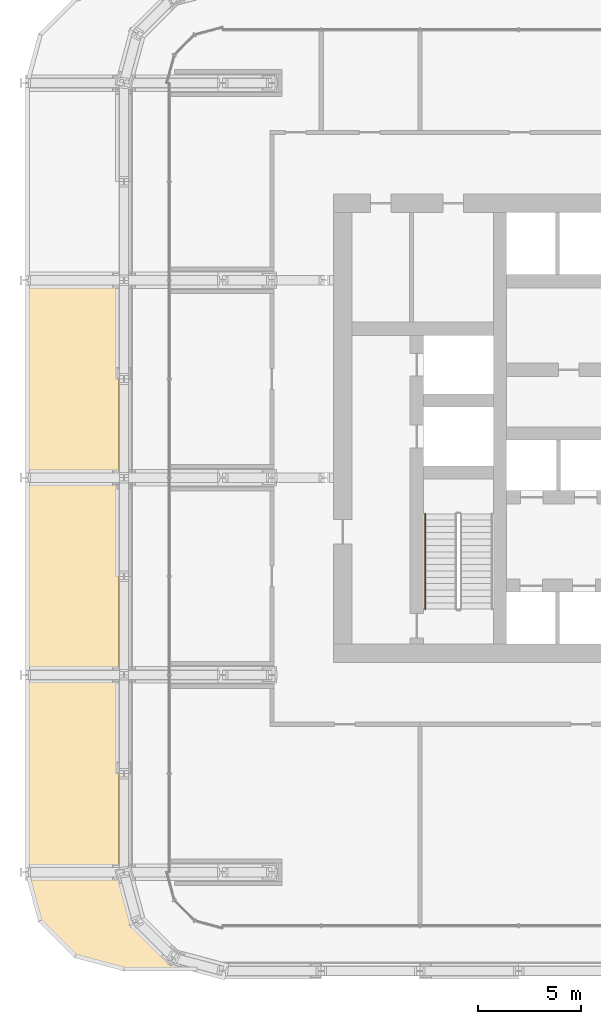
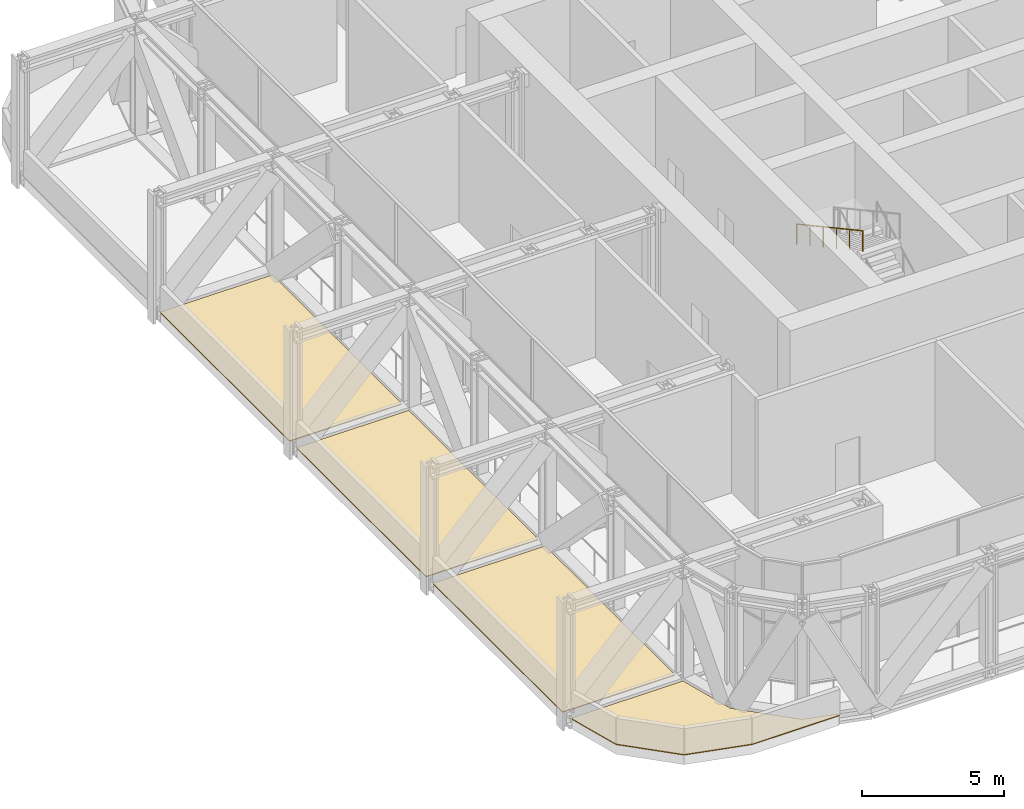
# One storey, part 23 of 30: 4 coverings, 1 railing.
"""IFC4 building model written with IfcOpenShell, lengths in metres."""

import ifcopenshell
import ifcopenshell.guid

model = None  # the IFC model being written
_history = None  # IfcOwnerHistory: only IFC2X3 demands one
_inside = {}  # id of a spatial element -> (the spatial element, [elements in it])
_under = {}  # id of a project, library or spatial element -> (it, [spatial elements below it])
_declared = {}  # id of a project -> (the project, [libraries it declares])
_typed = {}  # id of a type object -> (the type object, [elements of that type])
_made_of = {}  # id of a material, layer set ... -> (it, [elements and type objects made of it])


def new_model(schema):
    """Start an empty IFC model of exactly this schema.

    Asked for "IFC4X3", IfcOpenShell would pick the latest addendum, in which some entities
    have other attributes; the version numbers below select the first issue.
    IFC2X3 requires an IfcOwnerHistory on every rooted entity: one is made here for all.
    """
    global model, _history
    if schema == "IFC4X3":
        model = ifcopenshell.file(schema_version=(4, 3, 0, 0))
    else:
        model = ifcopenshell.file(schema=schema)
    _inside.clear()
    _under.clear()
    _declared.clear()
    _typed.clear()
    _made_of.clear()
    _history = None
    if model.schema == "IFC2X3":
        org = make("IfcOrganization", Name="unknown")
        user = make(
            "IfcPersonAndOrganization",
            ThePerson=make("IfcPerson", FamilyName="unknown"),
            TheOrganization=org,
        )
        app = make(
            "IfcApplication",
            ApplicationDeveloper=org,
            Version="unknown",
            ApplicationFullName="unknown",
            ApplicationIdentifier="unknown",
        )
        _history = make(
            "IfcOwnerHistory",
            OwningUser=user,
            OwningApplication=app,
            ChangeAction="ADDED",
            CreationDate=0,
        )
    return model


def make(cls, **values):
    """One entity of the class cls with the attributes given. An attribute that is None is left unset."""
    return model.create_entity(
        cls, **{name: value for name, value in values.items() if value is not None}
    )


def rooted(cls, **values):
    """An entity with a GlobalId (a new one), such as an element, a storey or a relation."""
    return make(cls, GlobalId=ifcopenshell.guid.new(), OwnerHistory=_history, **values)


def si_unit(unit_type, name, prefix=None):
    """IfcSIUnit, for example si_unit("LENGTHUNIT", "METRE", prefix="MILLI")."""
    return make("IfcSIUnit", UnitType=unit_type, Prefix=prefix, Name=name)


def assignment(units):
    """IfcUnitAssignment: the units of a project."""
    return None if units is None else make("IfcUnitAssignment", Units=units)


def point(xyz):
    """IfcCartesianPoint."""
    return None if xyz is None else make("IfcCartesianPoint", Coordinates=xyz)


def direction(xyz):
    """IfcDirection."""
    return None if xyz is None else make("IfcDirection", DirectionRatios=xyz)


def frame(location, z_axis=None, x_axis=None):
    """IfcAxis2Placement3D, a coordinate frame: its origin and axes. An axis left out is left unset."""
    return make(
        "IfcAxis2Placement3D",
        Location=point(location),
        Axis=direction(z_axis),
        RefDirection=direction(x_axis),
    )


def frame_2d(location, x_axis=None):
    """IfcAxis2Placement2D, a coordinate frame in the plane: its origin and x axis."""
    return make(
        "IfcAxis2Placement2D", Location=point(location), RefDirection=direction(x_axis)
    )


def origin():
    """The frame at (0, 0, 0) with its axes left unset."""
    return frame((0.0, 0.0, 0.0))


def origin_2d():
    """The frame at (0, 0) in the plane with its x axis left unset."""
    return frame_2d((0.0, 0.0))


def place(relative_to, where):
    """IfcLocalPlacement: puts the frame where relative to a parent placement (None: the world)."""
    return make(
        "IfcLocalPlacement", PlacementRelTo=relative_to, RelativePlacement=where
    )


def context(
    kind, dimensions, precision=None, world=None, true_north=None, identifier=None
):
    """IfcGeometricRepresentationContext, for example the 3D "Model" context."""
    return make(
        "IfcGeometricRepresentationContext",
        ContextIdentifier=identifier,
        ContextType=kind,
        CoordinateSpaceDimension=dimensions,
        Precision=precision,
        WorldCoordinateSystem=world,
        TrueNorth=true_north,
    )


def subcontext(parent, identifier, kind, view, scale=None):
    """IfcGeometricRepresentationSubContext, for example "Body" below "Model"."""
    return make(
        "IfcGeometricRepresentationSubContext",
        ContextIdentifier=identifier,
        ContextType=kind,
        ParentContext=parent,
        TargetScale=scale,
        TargetView=view,
    )


def project(units=None, contexts=None):
    """IfcProject with its units and contexts."""
    return rooted(
        "IfcProject",
        Name="project",
        RepresentationContexts=contexts,
        UnitsInContext=assignment(units),
    )


def spatial(cls, under=None, at=None, **own):
    """A site, building, storey or space (cls), placed at a placement, below another one or the project."""
    s = rooted(cls, ObjectPlacement=at, **own)
    if under is not None:
        _under.setdefault(under.id(), (under, []))[1].append(s)
    return s


def polyline(points):
    """IfcPolyline through the points."""
    return make("IfcPolyline", Points=[point(p) for p in points])


def profile(cls, at=None, kind="AREA", **sizes):
    """A parametric profile (cls). Its sizes go by their IFC names, for example OverallWidth=200.0."""
    return make(cls, ProfileType=kind, Position=at, **sizes)


def circle(**sizes):
    """IfcCircleProfileDef."""
    return profile("IfcCircleProfileDef", **sizes)


def outline(outer, holes=None, kind="AREA"):
    """IfcArbitraryClosedProfileDef: a profile drawn as a closed curve; with holes, ...WithVoids."""
    if holes is None:
        return make("IfcArbitraryClosedProfileDef", ProfileType=kind, OuterCurve=outer)
    return make(
        "IfcArbitraryProfileDefWithVoids",
        ProfileType=kind,
        OuterCurve=outer,
        InnerCurves=holes,
    )


def extrude(swept, where, along, depth):
    """IfcExtrudedAreaSolid: the profile swept, set in the frame where, extruded along a direction by depth."""
    return make(
        "IfcExtrudedAreaSolid",
        SweptArea=swept,
        Position=where,
        ExtrudedDirection=direction(along),
        Depth=depth,
    )


def shape(context_of_items, identifier, shape_type, items):
    """IfcShapeRepresentation: the items that make up one representation, for example the "Body"."""
    return make(
        "IfcShapeRepresentation",
        ContextOfItems=context_of_items,
        RepresentationIdentifier=identifier,
        RepresentationType=shape_type,
        Items=items,
    )


def material(Name=None, Category=None):
    """IfcMaterial."""
    return make("IfcMaterial", Name=Name, Category=Category)


def layer(
    of_material, thickness, ventilated=None, Name=None, Category=None, Priority=None
):
    """IfcMaterialLayer: one layer of a wall or slab, of a material (None: an air gap)."""
    return make(
        "IfcMaterialLayer",
        Material=of_material,
        LayerThickness=thickness,
        IsVentilated=ventilated,
        Name=Name,
        Category=Category,
        Priority=Priority,
    )


def layer_set(layers, Name=None):
    """IfcMaterialLayerSet."""
    return make("IfcMaterialLayerSet", MaterialLayers=layers, LayerSetName=Name)


def made_of(thing, what):
    """Note that an element or type object is made of a material, layer set ...; save() writes the relation."""
    if what is not None:
        _made_of.setdefault(what.id(), (what, []))[1].append(thing)
    return thing


def type_object(cls, material=None, **own):
    """A type object (cls), such as IfcWallType, which elements share."""
    return made_of(rooted(cls, **own), material)


def element(
    cls,
    number,
    at=None,
    inside=None,
    cuts=None,
    type_object=None,
    material=None,
    context=None,
    identifier="Body",
    shape_type=None,
    held_by="IfcProductDefinitionShape",
    body=None,
    shapes=None,
    **own,
):
    """One element of the class cls, such as IfcWall. Its Tag is "e" and its number.

    at: its placement. inside: the storey or other place that contains it. cuts: it is an
    opening in that element (IfcRelVoidsElement). A single representation is given by context,
    identifier, shape_type and body (its items); several are given by shapes. held_by: the class
    of the entity that holds the representations. save() writes the other relations.
    """
    e = rooted(cls, Tag="e%d" % number, ObjectPlacement=at, **own)
    if body is not None:
        shapes = [shape(context, identifier, shape_type, body)]
    if shapes is not None:
        e.Representation = make(held_by, Representations=shapes)
    if inside is not None:
        _inside.setdefault(inside.id(), (inside, []))[1].append(e)
    if cuts is not None:
        rooted(
            "IfcRelVoidsElement", RelatingBuildingElement=cuts, RelatedOpeningElement=e
        )
    if type_object is not None:
        _typed.setdefault(type_object.id(), (type_object, []))[1].append(e)
    return made_of(e, material)


def aggregate(whole, parts):
    """IfcRelAggregates: a whole, such as a stair, and the parts it consists of."""
    return rooted("IfcRelAggregates", RelatingObject=whole, RelatedObjects=parts)


def save(model, path):
    """Write the relations noted so far, then the file.

    IfcRelAggregates (storeys below a building ...), IfcRelContainedInSpatialStructure (elements
    in a storey), IfcRelDefinesByType, IfcRelAssociatesMaterial and IfcRelDeclares: one each for
    every whole, place, type object, material and project.
    """
    for whole, parts in _under.values():
        aggregate(whole, parts)
    for where, things in _inside.values():
        rooted(
            "IfcRelContainedInSpatialStructure",
            RelatedElements=things,
            RelatingStructure=where,
        )
    for kind, things in _typed.values():
        rooted("IfcRelDefinesByType", RelatedObjects=things, RelatingType=kind)
    for what, things in _made_of.values():
        rooted("IfcRelAssociatesMaterial", RelatedObjects=things, RelatingMaterial=what)
    for by, libraries in _declared.values():
        rooted("IfcRelDeclares", RelatingContext=by, RelatedDefinitions=libraries)
    model.write(path)


model = new_model("IFC4")

# Units and contexts
model_context = context("Model", 3, precision=1e-05, world=origin(), true_north=direction((0.0, 1.0)))
body_context = subcontext(model_context, "Body", "Model", "MODEL_VIEW")
ifc_project = project(units=[si_unit("LENGTHUNIT", "METRE"), si_unit("AREAUNIT", "SQUARE_METRE"), si_unit("VOLUMEUNIT", "CUBIC_METRE"), si_unit("PLANEANGLEUNIT", "RADIAN"), si_unit("MASSUNIT", "GRAM", prefix="KILO")], contexts=[model_context])

# Site, building, storey
site_placement = place(None, origin())
site = spatial("IfcSite", under=ifc_project, at=site_placement, CompositionType="ELEMENT")
building_placement = place(site_placement, origin())
building = spatial("IfcBuilding", under=site, at=building_placement, Name="Madar Terraces", CompositionType="ELEMENT")
storey_placement = place(building_placement, frame((0.0, 0.0, 53.89990234375)))
storey = spatial("IfcBuildingStorey", under=building, at=storey_placement, Name="L13", CompositionType="ELEMENT", Elevation=53.89990234375)

# Railing
ifc_material_1 = material(Name="Stainless steel railing", Category="steel")
railing_type = type_object("IfcRailingType", Name="Stair handrail 900", PredefinedType="HANDRAIL", material=ifc_material_1)
railing_placement = place(storey_placement, frame((19.449951171875, 22.25, 2.868896484375)))
element("IfcRailing", 1, at=railing_placement, inside=storey, type_object=railing_type, Name="L13 ST1 stair handrail 2", PredefinedType="HANDRAIL", context=body_context, shape_type="SweptSolid", body=[
    extrude(circle(Radius=0.02392578125, at=origin_2d()), frame((0.0, 0.0, 0.8759765625), z_axis=(0.0, -0.878297076953, 0.478115304728), x_axis=(1.0, 0.0, 0.0)), (0.0, 0.0, 1.0), 5.294189453125),
    extrude(circle(Radius=0.02099609375, at=origin_2d()), origin(), (0.0, 0.0, 1.0), 0.851806640625),
    extrude(circle(Radius=0.02099609375, at=origin_2d()), frame((0.0, -0.929931640625, 0.50634765625)), (0.0, 0.0, 1.0), 0.851806640625),
    extrude(circle(Radius=0.02099609375, at=origin_2d()), frame((0.0, -1.85986328125, 1.012451171875)), (0.0, 0.0, 1.0), 0.851806640625),
    extrude(circle(Radius=0.02099609375, at=origin_2d()), frame((0.0, -2.7900390625, 1.518798828125)), (0.0, 0.0, 1.0), 0.851806640625),
    extrude(circle(Radius=0.02099609375, at=origin_2d()), frame((0.0, -3.719970703125, 2.02490234375)), (0.0, 0.0, 1.0), 0.851806640625),
    extrude(circle(Radius=0.02099609375, at=origin_2d()), frame((0.0, -4.64990234375, 2.53125)), (0.0, 0.0, 1.0), 0.851806640625),
])

# Coverings
ifc_material_2 = material(Name="Porcelain paving slabs on pedestals")
ifc_layer = layer(ifc_material_2, 0.0400390625)
ifc_layer_set = layer_set([ifc_layer], Name="Terrace paving 40")
covering_type = type_object("IfcCoveringType", Name="Terrace paving 40", PredefinedType="FLOORING", material=ifc_layer_set)
covering_1_placement = place(storey_placement, origin())
element("IfcCovering", 2, at=covering_1_placement, inside=storey, type_object=covering_type, Name="Terrace paving", PredefinedType="FLOORING", context=body_context, shape_type="SweptSolid", body=[
    extrude(outline(polyline([(2.4033203125, 0.643310546875), (2.398681640625, 0.64599609375), (2.394287109375, 0.64892578125), (2.390380859375, 0.652587890625), (0.652587890625, 2.390380859375), (0.64892578125, 2.394287109375), (0.64599609375, 2.398681640625), (0.643310546875, 2.4033203125), (0.64111328125, 2.407958984375), (0.6396484375, 2.412841796875), (0.080078125, 4.500732421875), (0.0791015625, 4.505615234375), (0.07861328125, 4.51025390625), (0.07861328125, 4.51513671875), (0.078857421875, 4.52001953125), (0.07958984375, 4.524658203125), (0.080810546875, 4.529296875), (0.082763671875, 4.533935546875), (0.084716796875, 4.5380859375), (0.08740234375, 4.542236328125), (0.09033203125, 4.546142578125), (0.093505859375, 4.549560546875), (0.09716796875, 4.552734375), (0.10107421875, 4.5556640625), (0.105224609375, 4.55810546875), (0.109619140625, 4.56005859375), (0.1142578125, 4.561767578125), (0.118896484375, 4.56298828125), (0.12353515625, 4.5634765625), (0.12841796875, 4.563720703125), (4.580322265625, 4.563720703125), (4.58544921875, 4.5634765625), (4.59033203125, 4.562744140625), (4.59521484375, 4.5615234375), (4.60009765625, 4.559814453125), (4.6044921875, 4.5576171875), (4.60888671875, 4.554931640625), (4.61279296875, 4.552001953125), (4.616455078125, 4.54833984375), (4.61962890625, 4.544677734375), (4.62255859375, 4.54052734375), (4.625, 4.5361328125), (4.627197265625, 4.531494140625), (4.628662109375, 4.526611328125), (5.23095703125, 2.279052734375), (5.231201171875, 2.27783203125), (5.232177734375, 2.27685546875), (7.076904296875, 0.43212890625), (7.077880859375, 0.431396484375), (7.0791015625, 0.430908203125), (8.320556640625, 0.098388671875), (8.3251953125, 0.0966796875), (8.32958984375, 0.0947265625), (8.333984375, 0.09228515625), (8.338134765625, 0.089599609375), (8.341796875, 0.086181640625), (8.34521484375, 0.082763671875), (8.348388671875, 0.078857421875), (8.35107421875, 0.07470703125), (8.353271484375, 0.0703125), (8.35498046875, 0.0654296875), (8.3564453125, 0.060791015625), (8.357177734375, 0.055908203125), (8.357421875, 0.05078125), (8.357421875, 0.0458984375), (8.356689453125, 0.041015625), (8.355712890625, 0.0361328125), (8.35400390625, 0.031494140625), (8.351806640625, 0.027099609375), (8.349365234375, 0.022705078125), (8.346435546875, 0.018798828125), (8.34326171875, 0.014892578125), (8.339599609375, 0.01171875), (8.335693359375, 0.008544921875), (8.331298828125, 0.006103515625), (8.326904296875, 0.00390625), (8.322265625, 0.002197265625), (8.3173828125, 0.0009765625), (8.3125, 0.000244140625), (8.3076171875, 0.0), (4.806640625, 0.0), (4.80224609375, 0.000244140625), (4.7978515625, 0.000732421875), (4.793701171875, 0.001708984375), (2.412841796875, 0.6396484375), (2.407958984375, 0.64111328125), (2.4033203125, 0.643310546875)])), origin(), (0.0, 0.0, 1.0), 0.0400390625),
])
covering_2_placement = place(storey_placement, origin())
element("IfcCovering", 3, at=covering_2_placement, inside=storey, type_object=covering_type, Name="Terrace paving", PredefinedType="FLOORING", context=body_context, shape_type="SweptSolid", body=[
    extrude(outline(polyline([(0.002197265625, 14.12841796875), (0.00390625, 14.1328125), (0.005859375, 14.13720703125), (0.00830078125, 14.1416015625), (0.01123046875, 14.1455078125), (0.0146484375, 14.149169921875), (0.018310546875, 14.15234375), (0.022216796875, 14.155517578125), (0.0263671875, 14.157958984375), (0.031005859375, 14.159912109375), (0.035400390625, 14.16162109375), (0.040283203125, 14.162841796875), (0.045166015625, 14.16357421875), (0.050048828125, 14.163818359375), (4.513916015625, 14.163818359375), (4.518798828125, 14.16357421875), (4.5234375, 14.162841796875), (4.5283203125, 14.16162109375), (4.532958984375, 14.159912109375), (4.537353515625, 14.157958984375), (4.54150390625, 14.155517578125), (4.54541015625, 14.15234375), (4.549072265625, 14.149169921875), (4.552490234375, 14.1455078125), (4.555419921875, 14.1416015625), (4.557861328125, 14.13720703125), (4.56005859375, 14.1328125), (4.5615234375, 14.12841796875), (4.562744140625, 14.12353515625), (4.5634765625, 14.11865234375), (4.563720703125, 14.11376953125), (4.563720703125, 5.086181640625), (4.5634765625, 5.081298828125), (4.562744140625, 5.076416015625), (4.5615234375, 5.07177734375), (4.56005859375, 5.067138671875), (4.557861328125, 5.062744140625), (4.555419921875, 5.058349609375), (4.552490234375, 5.054443359375), (4.549072265625, 5.05078125), (4.54541015625, 5.047607421875), (4.54150390625, 5.044677734375), (4.537353515625, 5.0419921875), (4.532958984375, 5.0400390625), (4.5283203125, 5.038330078125), (4.5234375, 5.037109375), (4.518798828125, 5.03662109375), (4.513916015625, 5.0361328125), (0.050048828125, 5.0361328125), (0.045166015625, 5.03662109375), (0.040283203125, 5.037109375), (0.035400390625, 5.038330078125), (0.031005859375, 5.0400390625), (0.0263671875, 5.0419921875), (0.022216796875, 5.044677734375), (0.018310546875, 5.047607421875), (0.0146484375, 5.05078125), (0.01123046875, 5.054443359375), (0.00830078125, 5.058349609375), (0.005859375, 5.062744140625), (0.00390625, 5.067138671875), (0.002197265625, 5.07177734375), (0.0009765625, 5.076416015625), (0.000244140625, 5.081298828125), (0.0, 5.086181640625), (0.0, 14.11376953125), (0.000244140625, 14.11865234375), (0.0009765625, 14.12353515625), (0.002197265625, 14.12841796875)])), origin(), (0.0, 0.0, 1.0), 0.0400390625),
])
covering_3_placement = place(storey_placement, origin())
element("IfcCovering", 4, at=covering_3_placement, inside=storey, type_object=covering_type, Name="Terrace paving", PredefinedType="FLOORING", context=body_context, shape_type="SweptSolid", body=[
    extrude(outline(polyline([(0.002197265625, 23.728271484375), (0.00390625, 23.73291015625), (0.005859375, 23.7373046875), (0.00830078125, 23.74169921875), (0.01123046875, 23.74560546875), (0.0146484375, 23.7490234375), (0.018310546875, 23.75244140625), (0.022216796875, 23.75537109375), (0.0263671875, 23.7578125), (0.031005859375, 23.760009765625), (0.035400390625, 23.76171875), (0.040283203125, 23.7626953125), (0.045166015625, 23.763427734375), (0.050048828125, 23.763916015625), (4.513916015625, 23.763916015625), (4.518798828125, 23.763427734375), (4.5234375, 23.7626953125), (4.5283203125, 23.76171875), (4.532958984375, 23.760009765625), (4.537353515625, 23.7578125), (4.54150390625, 23.75537109375), (4.54541015625, 23.75244140625), (4.549072265625, 23.7490234375), (4.552490234375, 23.74560546875), (4.555419921875, 23.74169921875), (4.557861328125, 23.7373046875), (4.56005859375, 23.73291015625), (4.5615234375, 23.728271484375), (4.562744140625, 23.723388671875), (4.5634765625, 23.71875), (4.563720703125, 23.7138671875), (4.563720703125, 14.686279296875), (4.5634765625, 14.681396484375), (4.562744140625, 14.676513671875), (4.5615234375, 14.671630859375), (4.56005859375, 14.6669921875), (4.557861328125, 14.66259765625), (4.555419921875, 14.658447265625), (4.552490234375, 14.654541015625), (4.549072265625, 14.65087890625), (4.54541015625, 14.647705078125), (4.54150390625, 14.64453125), (4.537353515625, 14.64208984375), (4.532958984375, 14.639892578125), (4.5283203125, 14.638427734375), (4.5234375, 14.63720703125), (4.518798828125, 14.636474609375), (4.513916015625, 14.63623046875), (0.050048828125, 14.63623046875), (0.045166015625, 14.636474609375), (0.040283203125, 14.63720703125), (0.035400390625, 14.638427734375), (0.031005859375, 14.639892578125), (0.0263671875, 14.64208984375), (0.022216796875, 14.64453125), (0.018310546875, 14.647705078125), (0.0146484375, 14.65087890625), (0.01123046875, 14.654541015625), (0.00830078125, 14.658447265625), (0.005859375, 14.66259765625), (0.00390625, 14.6669921875), (0.002197265625, 14.671630859375), (0.0009765625, 14.676513671875), (0.000244140625, 14.681396484375), (0.0, 14.686279296875), (0.0, 23.7138671875), (0.000244140625, 23.71875), (0.0009765625, 23.723388671875), (0.002197265625, 23.728271484375)])), origin(), (0.0, 0.0, 1.0), 0.0400390625),
])
covering_4_placement = place(storey_placement, origin())
element("IfcCovering", 5, at=covering_4_placement, inside=storey, type_object=covering_type, Name="Terrace paving", PredefinedType="FLOORING", context=body_context, shape_type="SweptSolid", body=[
    extrude(outline(polyline([(0.0009765625, 33.323486328125), (0.002197265625, 33.328369140625), (0.00390625, 33.3330078125), (0.005859375, 33.33740234375), (0.00830078125, 33.341552734375), (0.01123046875, 33.345458984375), (0.0146484375, 33.34912109375), (0.018310546875, 33.352294921875), (0.022216796875, 33.35546875), (0.0263671875, 33.35791015625), (0.031005859375, 33.360107421875), (0.035400390625, 33.361572265625), (0.040283203125, 33.36279296875), (0.045166015625, 33.363525390625), (0.050048828125, 33.36376953125), (4.513916015625, 33.36376953125), (4.518798828125, 33.363525390625), (4.5234375, 33.36279296875), (4.5283203125, 33.361572265625), (4.532958984375, 33.360107421875), (4.537353515625, 33.35791015625), (4.54150390625, 33.35546875), (4.54541015625, 33.352294921875), (4.549072265625, 33.34912109375), (4.552490234375, 33.345458984375), (4.555419921875, 33.341552734375), (4.557861328125, 33.33740234375), (4.56005859375, 33.3330078125), (4.5615234375, 33.328369140625), (4.562744140625, 33.323486328125), (4.5634765625, 33.318603515625), (4.563720703125, 33.313720703125), (4.563720703125, 24.2861328125), (4.5634765625, 24.28125), (4.562744140625, 24.276611328125), (4.5615234375, 24.271728515625), (4.56005859375, 24.26708984375), (4.557861328125, 24.2626953125), (4.555419921875, 24.25830078125), (4.552490234375, 24.25439453125), (4.549072265625, 24.2509765625), (4.54541015625, 24.24755859375), (4.54150390625, 24.24462890625), (4.537353515625, 24.2421875), (4.532958984375, 24.239990234375), (4.5283203125, 24.23828125), (4.5234375, 24.2373046875), (4.518798828125, 24.236572265625), (4.513916015625, 24.236083984375), (0.050048828125, 24.236083984375), (0.045166015625, 24.236572265625), (0.040283203125, 24.2373046875), (0.035400390625, 24.23828125), (0.031005859375, 24.239990234375), (0.0263671875, 24.2421875), (0.022216796875, 24.24462890625), (0.018310546875, 24.24755859375), (0.0146484375, 24.2509765625), (0.01123046875, 24.25439453125), (0.00830078125, 24.25830078125), (0.005859375, 24.2626953125), (0.00390625, 24.26708984375), (0.002197265625, 24.271728515625), (0.0009765625, 24.276611328125), (0.000244140625, 24.28125), (0.0, 24.2861328125), (0.0, 33.313720703125), (0.000244140625, 33.318603515625), (0.0009765625, 33.323486328125)])), origin(), (0.0, 0.0, 1.0), 0.0400390625),
])

save(model, "model.ifc")
